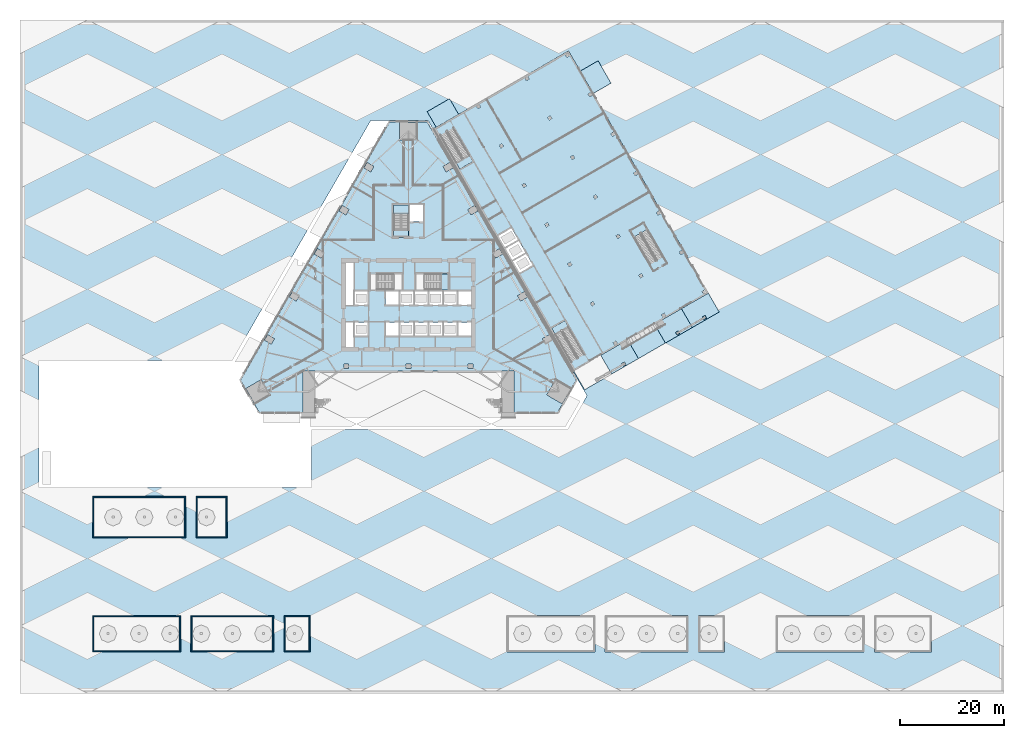
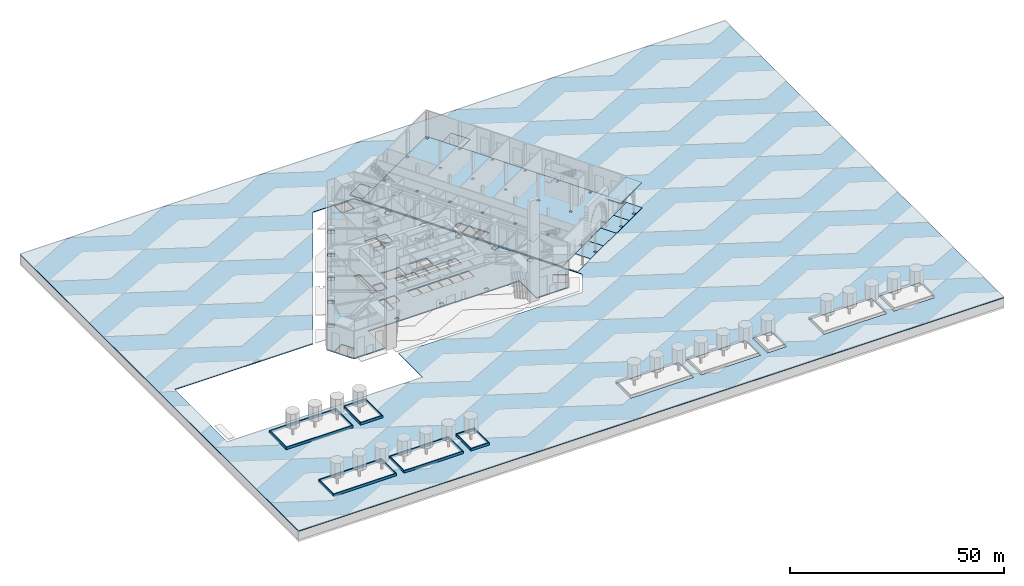
# One storey, part 7 of 34: 20 walls, 17 slabs, 5 elements without a shape of their own.
"""IFC4 building model written with IfcOpenShell, lengths in metres."""

from ifc_helpers import new_model, si_unit, direction, frame, frame_2d, origin, place, context, subcontext, project, spatial, polyline, rectangle, outline, extrude, material, layer, layer_set, type_object, element, aggregate, save


model = new_model("IFC4")

# Units and contexts
model_context = context("Model", 3, precision=1e-05, world=origin(), true_north=direction((0.0, 1.0)))
body_context = subcontext(model_context, "Body", "Model", "MODEL_VIEW")
ifc_project = project(units=[si_unit("LENGTHUNIT", "METRE"), si_unit("AREAUNIT", "SQUARE_METRE"), si_unit("VOLUMEUNIT", "CUBIC_METRE"), si_unit("PLANEANGLEUNIT", "RADIAN"), si_unit("MASSUNIT", "GRAM", prefix="KILO")], contexts=[model_context])

# Site, building, storey
site_placement = place(None, origin())
site = spatial("IfcSite", under=ifc_project, at=site_placement, CompositionType="ELEMENT")
building_placement = place(site_placement, origin())
building = spatial("IfcBuilding", under=site, at=building_placement, Name="Firuza Gate Tower and Library", CompositionType="ELEMENT")
storey_placement = place(building_placement, origin())
storey = spatial("IfcBuildingStorey", under=building, at=storey_placement, Name="L00", CompositionType="ELEMENT", Elevation=0.0)

# Slabs
ifc_material_1 = material(Name="Concrete C40/50", Category="concrete")
ifc_layer_1 = layer(ifc_material_1, 0.300048828125)
ifc_layer_set_1 = layer_set([ifc_layer_1], Name="Composite floor slab 300 C40/50")
slab_type_1 = type_object("IfcSlabType", Name="Composite floor slab 300 C40/50", PredefinedType="FLOOR", material=ifc_layer_set_1)
placement_1 = place(storey_placement, frame((0.0, 0.0, -0.300048828125)))
element("IfcSlab", 1, at=placement_1, inside=storey, type_object=slab_type_1, Name="Floor slab L00", PredefinedType="FLOOR", context=body_context, shape_type="SweptSolid", body=[
    extrude(outline(polyline([(46.199951171875, 54.21533203125), (54.60009765625, 54.21533203125), (54.60009765625, 62.21533203125), (57.0, 62.21533203125), (93.0, 62.21533203125), (95.39990234375, 62.21533203125), (95.39990234375, 54.21533203125), (103.800048828125, 54.21533203125), (107.39990234375, 60.45068359375), (78.60009765625, 110.333740234375), (71.39990234375, 110.333740234375), (42.60009765625, 60.45068359375), (46.199951171875, 54.21533203125)]), holes=[polyline([(43.63671875, 58.855224609375), (46.5810546875, 60.555419921875), (48.281005859375, 57.61083984375), (45.336669921875, 55.910888671875), (43.63671875, 58.855224609375)]), polyline([(62.550048828125, 63.5654296875), (63.449951171875, 63.5654296875), (63.449951171875, 62.665283203125), (62.550048828125, 62.665283203125), (62.550048828125, 63.5654296875)]), polyline([(47.829833984375, 69.209228515625), (49.12890625, 68.459228515625), (48.529052734375, 67.419921875), (47.22998046875, 68.169921875), (47.829833984375, 69.209228515625)]), polyline([(62.89990234375, 66.89990234375), (62.89990234375, 71.60009765625), (64.35009765625, 71.60009765625), (64.35009765625, 66.89990234375), (62.89990234375, 66.89990234375)]), polyline([(67.14990234375, 75.0), (64.64990234375, 75.0), (64.64990234375, 77.60009765625), (67.14990234375, 77.60009765625), (67.14990234375, 75.0)]), polyline([(53.928955078125, 76.773193359375), (53.328857421875, 75.73388671875), (52.02978515625, 76.48388671875), (52.6298828125, 77.523193359375), (53.928955078125, 76.773193359375)]), polyline([(62.89990234375, 75.0), (62.89990234375, 83.10009765625), (64.35009765625, 83.10009765625), (64.35009765625, 75.0), (62.89990234375, 75.0)]), polyline([(58.72900390625, 85.0869140625), (58.12890625, 84.047607421875), (56.829833984375, 84.797607421875), (57.429931640625, 85.8369140625), (58.72900390625, 85.0869140625)]), polyline([(62.22998046875, 94.15087890625), (63.529052734375, 93.40087890625), (62.928955078125, 92.361572265625), (61.6298828125, 93.111572265625), (62.22998046875, 94.15087890625)]), polyline([(74.550048828125, 62.665283203125), (74.550048828125, 63.5654296875), (75.449951171875, 63.5654296875), (75.449951171875, 62.665283203125), (74.550048828125, 62.665283203125)]), polyline([(64.64990234375, 69.0), (64.64990234375, 71.60009765625), (67.14990234375, 71.60009765625), (67.14990234375, 69.0), (64.64990234375, 69.0)]), polyline([(70.60009765625, 69.0), (70.60009765625, 71.60009765625), (73.10009765625, 71.60009765625), (73.10009765625, 69.0), (70.60009765625, 69.0)]), polyline([(75.89990234375, 69.0), (73.39990234375, 69.0), (73.39990234375, 71.60009765625), (75.89990234375, 71.60009765625), (75.89990234375, 69.0)]), polyline([(76.199951171875, 69.0), (76.199951171875, 71.60009765625), (78.699951171875, 71.60009765625), (78.699951171875, 69.0), (76.199951171875, 69.0)]), polyline([(70.60009765625, 75.0), (70.60009765625, 77.60009765625), (73.10009765625, 77.60009765625), (73.10009765625, 75.0), (70.60009765625, 75.0)]), polyline([(75.89990234375, 75.0), (73.39990234375, 75.0), (73.39990234375, 77.60009765625), (75.89990234375, 77.60009765625), (75.89990234375, 75.0)]), polyline([(76.199951171875, 75.0), (76.199951171875, 77.60009765625), (78.699951171875, 77.60009765625), (78.699951171875, 75.0), (76.199951171875, 75.0)]), polyline([(68.9404296875, 77.89990234375), (68.9404296875, 80.97998046875), (73.81005859375, 80.97998046875), (73.81005859375, 77.89990234375), (68.9404296875, 77.89990234375)]), polyline([(81.259521484375, 77.89990234375), (76.389892578125, 77.89990234375), (76.389892578125, 80.97998046875), (81.259521484375, 80.97998046875), (81.259521484375, 77.89990234375)]), polyline([(72.159912109375, 94.300048828125), (75.0, 94.300048828125), (75.0, 89.470458984375), (72.159912109375, 89.470458984375), (72.159912109375, 94.300048828125)]), polyline([(75.300048828125, 91.050048828125), (75.300048828125, 94.300048828125), (77.89990234375, 94.300048828125), (77.89990234375, 91.050048828125), (75.300048828125, 91.050048828125)]), polyline([(67.02978515625, 102.464599609375), (68.328857421875, 101.714599609375), (67.72900390625, 100.67529296875), (66.429931640625, 101.42529296875), (67.02978515625, 102.464599609375)]), polyline([(76.699951171875, 106.833740234375), (73.300048828125, 106.833740234375), (73.300048828125, 110.23388671875), (76.699951171875, 110.23388671875), (76.699951171875, 106.833740234375)]), polyline([(101.718994140625, 57.61083984375), (103.4189453125, 60.555419921875), (106.36328125, 58.855224609375), (104.663330078125, 55.910888671875), (101.718994140625, 57.61083984375)]), polyline([(86.550048828125, 62.665283203125), (86.550048828125, 63.5654296875), (87.449951171875, 63.5654296875), (87.449951171875, 62.665283203125), (86.550048828125, 62.665283203125)]), polyline([(101.470947265625, 67.419921875), (100.87109375, 68.459228515625), (102.170166015625, 69.209228515625), (102.77001953125, 68.169921875), (101.470947265625, 67.419921875)]), polyline([(79.0, 69.0), (79.0, 71.60009765625), (81.5, 71.60009765625), (81.5, 69.0), (79.0, 69.0)]), polyline([(84.300048828125, 69.0), (81.800048828125, 69.0), (81.800048828125, 71.60009765625), (84.300048828125, 71.60009765625), (84.300048828125, 69.0)]), polyline([(84.60009765625, 69.0), (84.60009765625, 71.60009765625), (87.10009765625, 71.60009765625), (87.10009765625, 69.0), (84.60009765625, 69.0)]), polyline([(79.0, 75.0), (79.0, 77.60009765625), (81.5, 77.60009765625), (81.5, 75.0), (79.0, 75.0)]), polyline([(84.300048828125, 75.0), (81.800048828125, 75.0), (81.800048828125, 77.60009765625), (84.300048828125, 77.60009765625), (84.300048828125, 75.0)]), polyline([(84.60009765625, 75.0), (84.60009765625, 77.60009765625), (87.10009765625, 77.60009765625), (87.10009765625, 75.0), (84.60009765625, 75.0)]), polyline([(96.671142578125, 75.73388671875), (96.071044921875, 76.773193359375), (97.3701171875, 77.523193359375), (97.97021484375, 76.48388671875), (96.671142578125, 75.73388671875)]), polyline([(93.170166015625, 84.797607421875), (91.87109375, 84.047607421875), (91.27099609375, 85.0869140625), (92.570068359375, 85.8369140625), (93.170166015625, 84.797607421875)]), polyline([(87.071044921875, 92.361572265625), (86.470947265625, 93.40087890625), (87.77001953125, 94.15087890625), (88.3701171875, 93.111572265625), (87.071044921875, 92.361572265625)]), polyline([(82.27099609375, 100.67529296875), (81.671142578125, 101.714599609375), (82.97021484375, 102.464599609375), (83.570068359375, 101.42529296875), (82.27099609375, 100.67529296875)])]), origin(), (0.0, 0.0, 1.0), 0.300048828125),
])
ifc_material_2 = material(Name="Concrete C30/37", Category="concrete")
ifc_layer_2 = layer(ifc_material_2, 0.300048828125)
ifc_layer_set_2 = layer_set([ifc_layer_2], Name="LIB APRON 300")
slab_type_2 = type_object("IfcSlabType", Name="LIB APRON 300", PredefinedType="BASESLAB", material=ifc_layer_set_2)
element("IfcSlab", 2, at=placement_1, inside=storey, type_object=slab_type_2, Name="Library east exit apron", PredefinedType="BASESLAB", context=body_context, shape_type="SweptSolid", body=[
    extrude(outline(polyline([(114.1279296875, 117.797607421875), (111.6279296875, 122.1279296875), (108.163818359375, 120.1279296875), (110.663818359375, 115.797607421875), (114.1279296875, 117.797607421875)])), origin(), (0.0, 0.0, 1.0), 0.300048828125),
])
element("IfcSlab", 3, at=placement_1, inside=storey, type_object=slab_type_2, Name="Library north exit apron", PredefinedType="BASESLAB", context=body_context, shape_type="SweptSolid", body=[
    extrude(outline(polyline([(84.6962890625, 111.77490234375), (82.9462890625, 114.80615234375), (78.615966796875, 112.30615234375), (80.365966796875, 109.27490234375), (84.6962890625, 111.77490234375)])), origin(), (0.0, 0.0, 1.0), 0.300048828125),
])
ifc_material_3 = material(Name="Concrete C30/37", Category="concrete")
ifc_layer_3 = layer(ifc_material_3, 0.300048828125)
ifc_layer_set_3 = layer_set([ifc_layer_3], Name="LIB APRON PAVING DARK")
slab_type_3 = type_object("IfcSlabType", Name="LIB APRON PAVING DARK", PredefinedType="BASESLAB", material=ifc_layer_set_3)
element("IfcSlab", 4, at=placement_1, inside=storey, type_object=slab_type_3, Name="Library entrance paving 3", PredefinedType="BASESLAB", context=body_context, shape_type="SweptSolid", body=[
    extrude(outline(polyline([(124.62158203125, 67.622314453125), (122.521484375, 71.259521484375), (117.3251953125, 68.259521484375), (119.42529296875, 64.622314453125), (124.62158203125, 67.622314453125)])), origin(), (0.0, 0.0, 1.0), 0.300048828125),
])
element("IfcSlab", 5, at=placement_1, inside=storey, type_object=slab_type_3, Name="Library entrance paving 5", PredefinedType="BASESLAB", context=body_context, shape_type="SweptSolid", body=[
    extrude(outline(polyline([(135.013916015625, 73.622314453125), (132.913818359375, 77.259521484375), (127.717529296875, 74.259521484375), (129.817626953125, 70.622314453125), (135.013916015625, 73.622314453125)]), holes=[polyline([(132.575439453125, 72.445556640625), (132.275390625, 72.965087890625), (131.755859375, 72.6650390625), (132.055908203125, 72.1455078125), (132.575439453125, 72.445556640625)])]), origin(), (0.0, 0.0, 1.0), 0.300048828125),
])
ifc_material_4 = material(Name="Concrete C30/37", Category="concrete")
ifc_layer_4 = layer(ifc_material_4, 0.300048828125)
ifc_layer_set_4 = layer_set([ifc_layer_4], Name="LIB APRON PAVING LIGHT")
slab_type_4 = type_object("IfcSlabType", Name="LIB APRON PAVING LIGHT", PredefinedType="BASESLAB", material=ifc_layer_set_4)
element("IfcSlab", 6, at=placement_1, inside=storey, type_object=slab_type_4, Name="Library entrance paving 2", PredefinedType="BASESLAB", context=body_context, shape_type="SweptSolid", body=[
    extrude(outline(polyline([(119.42529296875, 64.622314453125), (117.3251953125, 68.259521484375), (112.129150390625, 65.259521484375), (114.229248046875, 61.622314453125), (119.42529296875, 64.622314453125)]), holes=[polyline([(116.987060546875, 63.445556640625), (116.68701171875, 63.965087890625), (116.16748046875, 63.6650390625), (116.46728515625, 63.1455078125), (116.987060546875, 63.445556640625)])]), origin(), (0.0, 0.0, 1.0), 0.300048828125),
])
element("IfcSlab", 7, at=placement_1, inside=storey, type_object=slab_type_4, Name="Library entrance paving 4", PredefinedType="BASESLAB", context=body_context, shape_type="SweptSolid", body=[
    extrude(outline(polyline([(129.817626953125, 70.622314453125), (127.717529296875, 74.259521484375), (122.521484375, 71.259521484375), (124.62158203125, 67.622314453125), (129.817626953125, 70.622314453125)]), holes=[polyline([(127.37939453125, 69.445556640625), (127.079345703125, 69.965087890625), (126.559814453125, 69.6650390625), (126.859619140625, 69.1455078125), (127.37939453125, 69.445556640625)])]), origin(), (0.0, 0.0, 1.0), 0.300048828125),
])
ifc_material_5 = material(Name="Concrete C40/50", Category="concrete")
ifc_layer_5 = layer(ifc_material_5, 0.25)
ifc_layer_set_5 = layer_set([ifc_layer_5], Name="LIB CANOPY SLAB 250")
slab_type_5 = type_object("IfcSlabType", Name="LIB CANOPY SLAB 250", PredefinedType="ROOF", material=ifc_layer_set_5)
slab_8_placement = place(storey_placement, frame((0.0, 0.0, 7.0)))
element("IfcSlab", 8, at=slab_8_placement, inside=storey, type_object=slab_type_5, Name="Arcade canopy 2", PredefinedType="ROOF", context=body_context, shape_type="SweptSolid", body=[
    extrude(outline(polyline([(135.013916015625, 73.622314453125), (132.913818359375, 77.259521484375), (124.25341796875, 72.259521484375), (126.353515625, 68.622314453125), (135.013916015625, 73.622314453125)])), origin(), (0.0, 0.0, 1.0), 0.25),
])
ifc_material_6 = material(Name="Concrete C40/50", Category="concrete")
ifc_layer_6 = layer(ifc_material_6, 0.300048828125)
ifc_layer_set_6 = layer_set([ifc_layer_6], Name="LIB GROUND SLAB 300")
slab_type_6 = type_object("IfcSlabType", Name="LIB GROUND SLAB 300", PredefinedType="BASESLAB", material=ifc_layer_set_6)
element("IfcSlab", 9, at=placement_1, inside=storey, type_object=slab_type_6, Name="Library floor slab L00", PredefinedType="BASESLAB", context=body_context, shape_type="SweptSolid", body=[
    extrude(outline(polyline([(106.93310546875, 62.259521484375), (132.913818359375, 77.259521484375), (105.913818359375, 124.02490234375), (79.93310546875, 109.02490234375), (106.93310546875, 62.259521484375)]), holes=[polyline([(95.179443359375, 83.41748046875), (96.4794921875, 81.165771484375), (99.0341796875, 82.640869140625), (97.734130859375, 84.892333984375), (95.179443359375, 83.41748046875)]), polyline([(95.054443359375, 83.6337890625), (97.609130859375, 85.10888671875), (96.30908203125, 87.360595703125), (93.75439453125, 85.885498046875), (95.054443359375, 83.6337890625)]), polyline([(114.8369140625, 67.16943359375), (115.356689453125, 67.469482421875), (115.056640625, 67.989013671875), (114.537109375, 67.68896484375), (114.8369140625, 67.16943359375)]), polyline([(110.136962890625, 75.31005859375), (110.43701171875, 74.79052734375), (110.956787109375, 75.090576171875), (110.65673828125, 75.610107421875), (110.136962890625, 75.31005859375)]), polyline([(106.037109375, 82.41162109375), (106.556640625, 82.71142578125), (106.256591796875, 83.231201171875), (105.737060546875, 82.93115234375), (106.037109375, 82.41162109375)]), polyline([(101.636962890625, 90.032470703125), (102.15673828125, 90.33251953125), (101.856689453125, 90.85205078125), (101.3369140625, 90.552001953125), (101.636962890625, 90.032470703125)]), polyline([(123.89013671875, 73.089111328125), (124.190185546875, 72.5693359375), (124.709716796875, 72.869384765625), (124.40966796875, 73.388916015625), (123.89013671875, 73.089111328125)]), polyline([(119.7900390625, 80.1904296875), (120.309814453125, 80.490478515625), (120.009765625, 81.010009765625), (119.489990234375, 80.710205078125), (119.7900390625, 80.1904296875)]), polyline([(115.39013671875, 87.8115234375), (115.90966796875, 88.111572265625), (115.609619140625, 88.631103515625), (115.090087890625, 88.3310546875), (115.39013671875, 87.8115234375)]), polyline([(131.684326171875, 77.589111328125), (131.984375, 77.0693359375), (132.50390625, 77.369384765625), (132.2041015625, 77.888916015625), (131.684326171875, 77.589111328125)]), polyline([(127.58447265625, 84.6904296875), (128.10400390625, 84.990478515625), (127.803955078125, 85.510009765625), (127.284423828125, 85.210205078125), (127.58447265625, 84.6904296875)]), polyline([(123.184326171875, 92.3115234375), (123.7041015625, 92.611572265625), (123.404052734375, 93.131103515625), (122.884521484375, 92.8310546875), (123.184326171875, 92.3115234375)]), polyline([(92.329345703125, 88.353759765625), (93.62939453125, 86.10205078125), (96.18408203125, 87.5771484375), (94.88427734375, 89.828857421875), (92.329345703125, 88.353759765625)]), polyline([(97.237060546875, 97.653564453125), (97.756591796875, 97.95361328125), (97.456787109375, 98.47314453125), (96.93701171875, 98.173095703125), (97.237060546875, 97.653564453125)]), polyline([(92.8369140625, 105.2744140625), (93.356689453125, 105.574462890625), (93.056640625, 106.09423828125), (92.537109375, 105.794189453125), (92.8369140625, 105.2744140625)]), polyline([(88.136962890625, 113.415283203125), (88.43701171875, 112.8955078125), (88.956787109375, 113.195556640625), (88.65673828125, 113.715087890625), (88.136962890625, 113.415283203125)]), polyline([(110.989990234375, 95.4326171875), (111.509765625, 95.732421875), (111.209716796875, 96.252197265625), (110.690185546875, 95.9521484375), (110.989990234375, 95.4326171875)]), polyline([(106.590087890625, 103.053466796875), (107.109619140625, 103.353515625), (106.809814453125, 103.873046875), (106.2900390625, 103.572998046875), (106.590087890625, 103.053466796875)]), polyline([(101.89013671875, 111.194091796875), (102.190185546875, 110.674560546875), (102.709716796875, 110.974609375), (102.40966796875, 111.494140625), (101.89013671875, 111.194091796875)]), polyline([(97.7900390625, 118.295654296875), (98.309814453125, 118.595703125), (98.009765625, 119.115234375), (97.489990234375, 118.815185546875), (97.7900390625, 118.295654296875)]), polyline([(118.784423828125, 99.9326171875), (119.303955078125, 100.232421875), (119.00390625, 100.752197265625), (118.484375, 100.4521484375), (118.784423828125, 99.9326171875)]), polyline([(114.08447265625, 108.072998046875), (114.384521484375, 107.553466796875), (114.904052734375, 107.853515625), (114.60400390625, 108.373046875), (114.08447265625, 108.072998046875)]), polyline([(109.984375, 115.174560546875), (110.50390625, 115.474609375), (110.2041015625, 115.994140625), (109.684326171875, 115.694091796875), (109.984375, 115.174560546875)]), polyline([(105.58447265625, 122.795654296875), (106.10400390625, 123.095703125), (105.803955078125, 123.615234375), (105.284423828125, 123.315185546875), (105.58447265625, 122.795654296875)])]), origin(), (0.0, 0.0, 1.0), 0.300048828125),
])

# Stair, slab
ifc_material_7 = material(Name="Concrete C40/50", Category="concrete")
stair_type_1 = type_object("IfcStairType", Name="LIB STAIR", PredefinedType="HALF_TURN_STAIR", material=ifc_material_7)
placement_2 = place(storey_placement, origin())
stair_1 = element("IfcStair", 10, at=placement_2, inside=storey, type_object=stair_type_1, Name="L00 Exit stair A", PredefinedType="HALF_TURN_STAIR")
ifc_material_8 = material(Name="Concrete C40/50", Category="concrete")
ifc_layer_7 = layer(ifc_material_8, 0.199951171875)
ifc_layer_set_7 = layer_set([ifc_layer_7], Name="LIB STAIR LANDING")
slab_type_7 = type_object("IfcSlabType", Name="LIB STAIR LANDING", PredefinedType="LANDING", material=ifc_layer_set_7)
placement_3 = place(storey_placement, frame((0.0, 0.0, 3.800048828125)))
slab_10 = element("IfcSlab", 11, at=placement_3, type_object=slab_type_7, Name="LIB-ST-A landing 1", PredefinedType="LANDING", context=body_context, shape_type="SweptSolid", body=[
    extrude(outline(polyline([(84.209228515625, 102.41845703125), (84.909423828125, 101.20556640625), (87.464111328125, 102.6806640625), (86.763916015625, 103.8935546875), (84.209228515625, 102.41845703125)])), origin(), (0.0, 0.0, 1.0), 0.199951171875),
])
aggregate(stair_1, [slab_10])

stair_2 = element("IfcStair", 12, at=placement_2, inside=storey, type_object=stair_type_1, Name="L00 Exit stair B", PredefinedType="HALF_TURN_STAIR")
slab_11 = element("IfcSlab", 13, at=placement_3, type_object=slab_type_7, Name="LIB-ST-B landing 1", PredefinedType="LANDING", context=body_context, shape_type="SweptSolid", body=[
    extrude(outline(polyline([(105.904541015625, 70.7412109375), (105.2041015625, 71.9541015625), (102.6494140625, 70.47900390625), (103.349609375, 69.26611328125), (105.904541015625, 70.7412109375)])), origin(), (0.0, 0.0, 1.0), 0.199951171875),
])
aggregate(stair_2, [slab_11])

stair_3 = element("IfcStair", 14, at=placement_2, inside=storey, type_object=stair_type_1, Name="L00 Feature stair", PredefinedType="HALF_TURN_STAIR")
slab_12 = element("IfcSlab", 15, at=placement_3, type_object=slab_type_7, Name="LIB-ST-C landing 1", PredefinedType="LANDING", context=body_context, shape_type="SweptSolid", body=[
    extrude(outline(polyline([(121.126708984375, 89.575439453125), (120.426513671875, 90.788330078125), (117.87158203125, 89.3134765625), (118.57177734375, 88.1005859375), (121.126708984375, 89.575439453125)])), origin(), (0.0, 0.0, 1.0), 0.199951171875),
])
aggregate(stair_3, [slab_12])

# Slab
ifc_material_9 = material(Name="Concrete C30/37", Category="concrete")
ifc_layer_8 = layer(ifc_material_9, 0.199951171875)
ifc_layer_set_8 = layer_set([ifc_layer_8], Name="Plaza slab on grade 200 C30/37")
slab_type_8 = type_object("IfcSlabType", Name="Plaza slab on grade 200 C30/37", PredefinedType="USERDEFINED", material=ifc_layer_set_8)
slab_13_placement = place(storey_placement, frame((0.0, 0.0, -0.35009765625)))
element("IfcSlab", 16, at=slab_13_placement, inside=storey, type_object=slab_type_8, Name="Plaza paving slab on grade", ObjectType="PAVING", PredefinedType="USERDEFINED", context=body_context, shape_type="SweptSolid", body=[
    extrude(outline(polyline([(190.0, 0.0), (0.0, 0.0), (0.0, 130.0), (190.0, 130.0), (190.0, 0.0)]), holes=[polyline([(124.62158203125, 67.622314453125), (129.817626953125, 70.622314453125), (135.013916015625, 73.622314453125), (132.913818359375, 77.259521484375), (110.663818359375, 115.797607421875), (114.1279296875, 117.797607421875), (111.6279296875, 122.1279296875), (108.163818359375, 120.1279296875), (108.755859375, 119.102294921875), (105.913818359375, 124.02490234375), (105.913818359375, 124.02490234375), (105.913818359375, 124.02490234375), (99.633056640625, 120.398681640625), (84.6962890625, 111.77490234375), (82.9462890625, 114.80615234375), (78.615966796875, 112.30615234375), (80.365966796875, 109.27490234375), (81.23193359375, 109.77490234375), (79.93310546875, 109.02490234375), (106.93310546875, 62.259521484375), (109.032958984375, 58.622314453125), (114.229248046875, 61.622314453125), (119.42529296875, 64.622314453125), (124.62158203125, 67.622314453125)]), polyline([(78.773193359375, 110.6337890625), (67.7626953125, 110.6337890625), (41.01171875, 64.300048828125), (3.699951171875, 64.300048828125), (3.699951171875, 39.699951171875), (56.300048828125, 39.699951171875), (56.300048828125, 50.915283203125), (105.705322265625, 50.915283203125), (109.478515625, 57.45068359375), (78.773193359375, 110.6337890625)]), polyline([(14.0, 8.0), (31.0, 8.0), (31.0, 15.0), (14.0, 15.0), (14.0, 8.0)]), polyline([(33.0, 8.0), (49.0, 8.0), (49.0, 15.0), (33.0, 15.0), (33.0, 8.0)]), polyline([(51.0, 8.0), (56.0, 8.0), (56.0, 15.0), (51.0, 15.0), (51.0, 8.0)]), polyline([(94.0, 15.0), (94.0, 8.0), (111.0, 8.0), (111.0, 15.0), (94.0, 15.0)]), polyline([(113.0, 15.0), (113.0, 8.0), (129.0, 8.0), (129.0, 15.0), (113.0, 15.0)]), polyline([(131.0, 8.0), (136.0, 8.0), (136.0, 15.0), (131.0, 15.0), (131.0, 8.0)]), polyline([(146.0, 8.0), (163.0, 8.0), (163.0, 15.0), (146.0, 15.0), (146.0, 8.0)]), polyline([(165.0, 8.0), (176.0, 8.0), (176.0, 15.0), (165.0, 15.0), (165.0, 8.0)]), polyline([(14.0, 38.0), (14.0, 30.0), (32.0, 30.0), (32.0, 38.0), (14.0, 38.0)]), polyline([(34.0, 38.0), (34.0, 30.0), (40.0, 30.0), (40.0, 38.0), (34.0, 38.0)])]), origin(), (0.0, 0.0, 1.0), 0.2001953125),
])

# Stair, slab
ifc_material_10 = material(Name="Concrete C35/45", Category="concrete")
stair_type_2 = type_object("IfcStairType", Name="Exit stair ST3", PredefinedType="HALF_TURN_STAIR", material=ifc_material_10)
stair_4 = element("IfcStair", 17, at=placement_2, inside=storey, type_object=stair_type_2, Name="L00 Stair ST2", PredefinedType="HALF_TURN_STAIR")
ifc_material_11 = material(Name="Concrete C35/45", Category="concrete")
ifc_layer_9 = layer(ifc_material_11, 0.199951171875)
ifc_layer_set_9 = layer_set([ifc_layer_9], Name="Stair landing 200")
slab_type_9 = type_object("IfcSlabType", Name="Stair landing 200", PredefinedType="LANDING", material=ifc_layer_set_9)
slab_14 = element("IfcSlab", 18, at=placement_3, type_object=slab_type_9, Name="ST2 landing 2", PredefinedType="LANDING", context=body_context, shape_type="SweptSolid", body=[
    extrude(outline(polyline([(82.75, 80.97998046875), (81.260009765625, 80.97998046875), (81.260009765625, 77.89990234375), (82.75, 77.89990234375), (82.75, 80.97998046875)])), origin(), (0.0, 0.0, 1.0), 0.199951171875),
])
aggregate(stair_4, [slab_14])

# Stair, slabs
ifc_material_12 = material(Name="Concrete C35/45", Category="concrete")
stair_type_3 = type_object("IfcStairType", Name="Exit stair ST12", PredefinedType="HALF_TURN_STAIR", material=ifc_material_12)
stair_5 = element("IfcStair", 19, at=placement_2, inside=storey, type_object=stair_type_3, Name="L00 Stair ST3", PredefinedType="HALF_TURN_STAIR")
slab_15_placement = place(storey_placement, frame((0.0, 0.0, 1.800048828125)))
slab_15 = element("IfcSlab", 20, at=slab_15_placement, type_object=slab_type_9, Name="ST3 landing 1", PredefinedType="LANDING", context=body_context, shape_type="SweptSolid", body=[
    extrude(outline(polyline([(75.0, 92.550048828125), (75.0, 94.300048828125), (72.159912109375, 94.300048828125), (72.159912109375, 92.550048828125), (75.0, 92.550048828125)])), origin(), (0.0, 0.0, 1.0), 0.199951171875),
])
slab_16 = element("IfcSlab", 21, at=placement_3, type_object=slab_type_9, Name="ST3 landing 2", PredefinedType="LANDING", context=body_context, shape_type="SweptSolid", body=[
    extrude(outline(polyline([(75.0, 88.10009765625), (75.0, 89.469970703125), (72.159912109375, 89.469970703125), (72.159912109375, 88.10009765625), (75.0, 88.10009765625)])), origin(), (0.0, 0.0, 1.0), 0.199951171875),
])
slab_17_placement = place(storey_placement, frame((0.0, 0.0, 5.800048828125)))
slab_17 = element("IfcSlab", 22, at=slab_17_placement, type_object=slab_type_9, Name="ST3 landing 3", PredefinedType="LANDING", context=body_context, shape_type="SweptSolid", body=[
    extrude(outline(polyline([(75.0, 92.550048828125), (75.0, 94.300048828125), (72.159912109375, 94.300048828125), (72.159912109375, 92.550048828125), (75.0, 92.550048828125)])), origin(), (0.0, 0.0, 1.0), 0.199951171875),
])
aggregate(stair_5, [slab_15, slab_16, slab_17])

# Walls
ifc_material_13 = material(Name="Concrete C30/37", Category="concrete")
ifc_layer_10 = layer(ifc_material_13, 0.25)
ifc_layer_set_10 = layer_set([ifc_layer_10], Name="Planter rim wall 250")
wall_type = type_object("IfcWallType", Name="Planter rim wall 250", PredefinedType="SOLIDWALL", material=ifc_layer_set_10)
for number, where, z_axis, x_axis, name in (
    (23, (14.0, 8.125, -0.14990234375), (0.0, 0.0, 1.0), (1.0, 0.0, 0.0), "Planter rim wall 1"),
    (24, (14.0, 14.875, -0.14990234375), (0.0, 0.0, 1.0), (1.0, 0.0, 0.0), "Planter rim wall 1"),
):
    element("IfcWall", number, at=place(storey_placement, frame(where, z_axis=z_axis, x_axis=x_axis)), inside=storey, type_object=wall_type, Name=name, PredefinedType="SOLIDWALL", context=body_context, shape_type="SweptSolid", body=[
        extrude(rectangle(XDim=17.0, YDim=0.25, at=frame_2d((8.5, 0.0))), origin(), (0.0, 0.0, 1.0), 0.699951171875),
    ])
for number, where, z_axis, x_axis, name in (
    (25, (14.125, 8.25, -0.14990234375), (0.0, 0.0, 1.0), (0.0, 1.0, 0.0), "Planter rim wall 1"),
    (26, (30.875, 8.25, -0.14990234375), (0.0, 0.0, 1.0), (0.0, 1.0, 0.0), "Planter rim wall 1"),
):
    element("IfcWall", number, at=place(storey_placement, frame(where, z_axis=z_axis, x_axis=x_axis)), inside=storey, type_object=wall_type, Name=name, PredefinedType="SOLIDWALL", context=body_context, shape_type="SweptSolid", body=[
        extrude(rectangle(XDim=6.5, YDim=0.25, at=frame_2d((3.25, 0.0))), origin(), (0.0, 0.0, 1.0), 0.699951171875),
    ])
for number, where, z_axis, x_axis, name in (
    (27, (33.0, 8.125, -0.14990234375), (0.0, 0.0, 1.0), (1.0, 0.0, 0.0), "Planter rim wall 2"),
    (28, (33.0, 14.875, -0.14990234375), (0.0, 0.0, 1.0), (1.0, 0.0, 0.0), "Planter rim wall 2"),
):
    element("IfcWall", number, at=place(storey_placement, frame(where, z_axis=z_axis, x_axis=x_axis)), inside=storey, type_object=wall_type, Name=name, PredefinedType="SOLIDWALL", context=body_context, shape_type="SweptSolid", body=[
        extrude(rectangle(XDim=16.0, YDim=0.25, at=frame_2d((8.0, 0.0))), origin(), (0.0, 0.0, 1.0), 0.699951171875),
    ])
for number, where, z_axis, x_axis, name in (
    (29, (33.125, 8.25, -0.14990234375), (0.0, 0.0, 1.0), (0.0, 1.0, 0.0), "Planter rim wall 2"),
    (30, (48.875, 8.25, -0.14990234375), (0.0, 0.0, 1.0), (0.0, 1.0, 0.0), "Planter rim wall 2"),
):
    element("IfcWall", number, at=place(storey_placement, frame(where, z_axis=z_axis, x_axis=x_axis)), inside=storey, type_object=wall_type, Name=name, PredefinedType="SOLIDWALL", context=body_context, shape_type="SweptSolid", body=[
        extrude(rectangle(XDim=6.5, YDim=0.25, at=frame_2d((3.25, 0.0))), origin(), (0.0, 0.0, 1.0), 0.699951171875),
    ])
for number, where, z_axis, x_axis, name in (
    (31, (51.0, 8.125, -0.14990234375), (0.0, 0.0, 1.0), (1.0, 0.0, 0.0), "Planter rim wall 3"),
    (32, (51.0, 14.875, -0.14990234375), (0.0, 0.0, 1.0), (1.0, 0.0, 0.0), "Planter rim wall 3"),
):
    element("IfcWall", number, at=place(storey_placement, frame(where, z_axis=z_axis, x_axis=x_axis)), inside=storey, type_object=wall_type, Name=name, PredefinedType="SOLIDWALL", context=body_context, shape_type="SweptSolid", body=[
        extrude(rectangle(XDim=5.0, YDim=0.25, at=frame_2d((2.5, 0.0))), origin(), (0.0, 0.0, 1.0), 0.699951171875),
    ])
for number, where, z_axis, x_axis, name in (
    (33, (51.125, 8.25, -0.14990234375), (0.0, 0.0, 1.0), (0.0, 1.0, 0.0), "Planter rim wall 3"),
    (34, (55.875, 8.25, -0.14990234375), (0.0, 0.0, 1.0), (0.0, 1.0, 0.0), "Planter rim wall 3"),
):
    element("IfcWall", number, at=place(storey_placement, frame(where, z_axis=z_axis, x_axis=x_axis)), inside=storey, type_object=wall_type, Name=name, PredefinedType="SOLIDWALL", context=body_context, shape_type="SweptSolid", body=[
        extrude(rectangle(XDim=6.5, YDim=0.25, at=frame_2d((3.25, 0.0))), origin(), (0.0, 0.0, 1.0), 0.699951171875),
    ])
for number, where, z_axis, x_axis, name in (
    (35, (14.0, 30.125, -0.14990234375), (0.0, 0.0, 1.0), (1.0, 0.0, 0.0), "Planter rim wall 9"),
    (36, (14.0, 37.875, -0.14990234375), (0.0, 0.0, 1.0), (1.0, 0.0, 0.0), "Planter rim wall 9"),
):
    element("IfcWall", number, at=place(storey_placement, frame(where, z_axis=z_axis, x_axis=x_axis)), inside=storey, type_object=wall_type, Name=name, PredefinedType="SOLIDWALL", context=body_context, shape_type="SweptSolid", body=[
        extrude(rectangle(XDim=18.0, YDim=0.25, at=frame_2d((9.0, 0.0))), origin(), (0.0, 0.0, 1.0), 0.699951171875),
    ])
for number, where, z_axis, x_axis, name in (
    (37, (14.125, 30.25, -0.14990234375), (0.0, 0.0, 1.0), (0.0, 1.0, 0.0), "Planter rim wall 9"),
    (38, (31.875, 30.25, -0.14990234375), (0.0, 0.0, 1.0), (0.0, 1.0, 0.0), "Planter rim wall 9"),
):
    element("IfcWall", number, at=place(storey_placement, frame(where, z_axis=z_axis, x_axis=x_axis)), inside=storey, type_object=wall_type, Name=name, PredefinedType="SOLIDWALL", context=body_context, shape_type="SweptSolid", body=[
        extrude(rectangle(XDim=7.5, YDim=0.25, at=frame_2d((3.75, 0.0))), origin(), (0.0, 0.0, 1.0), 0.699951171875),
    ])
for number, where, z_axis, x_axis, name in (
    (39, (34.0, 30.125, -0.14990234375), (0.0, 0.0, 1.0), (1.0, 0.0, 0.0), "Planter rim wall 10"),
    (40, (34.0, 37.875, -0.14990234375), (0.0, 0.0, 1.0), (1.0, 0.0, 0.0), "Planter rim wall 10"),
):
    element("IfcWall", number, at=place(storey_placement, frame(where, z_axis=z_axis, x_axis=x_axis)), inside=storey, type_object=wall_type, Name=name, PredefinedType="SOLIDWALL", context=body_context, shape_type="SweptSolid", body=[
        extrude(rectangle(XDim=6.0, YDim=0.25, at=frame_2d((3.0, 0.0))), origin(), (0.0, 0.0, 1.0), 0.699951171875),
    ])
for number, where, z_axis, x_axis, name in (
    (41, (34.125, 30.25, -0.14990234375), (0.0, 0.0, 1.0), (0.0, 1.0, 0.0), "Planter rim wall 10"),
    (42, (39.875, 30.25, -0.14990234375), (0.0, 0.0, 1.0), (0.0, 1.0, 0.0), "Planter rim wall 10"),
):
    element("IfcWall", number, at=place(storey_placement, frame(where, z_axis=z_axis, x_axis=x_axis)), inside=storey, type_object=wall_type, Name=name, PredefinedType="SOLIDWALL", context=body_context, shape_type="SweptSolid", body=[
        extrude(rectangle(XDim=7.5, YDim=0.25, at=frame_2d((3.75, 0.0))), origin(), (0.0, 0.0, 1.0), 0.699951171875),
    ])

save(model, "model.ifc")
